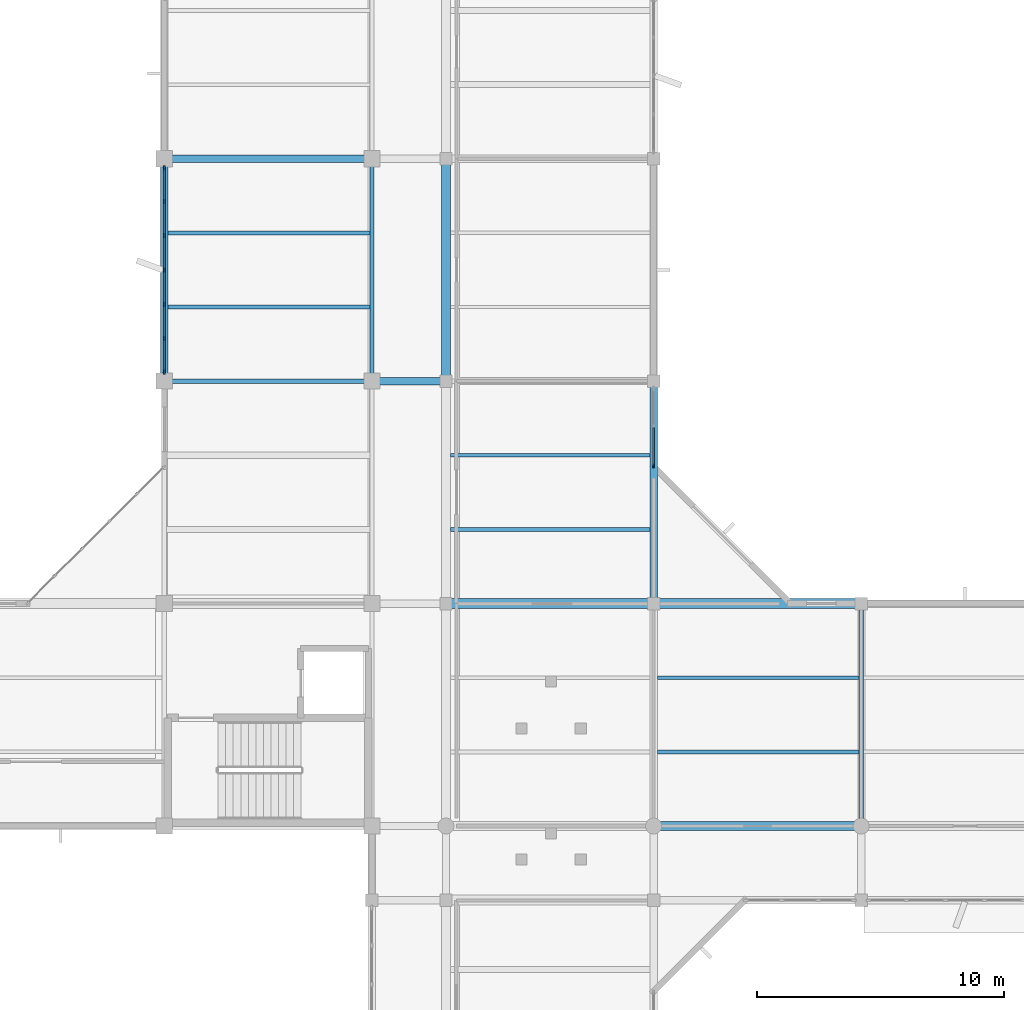
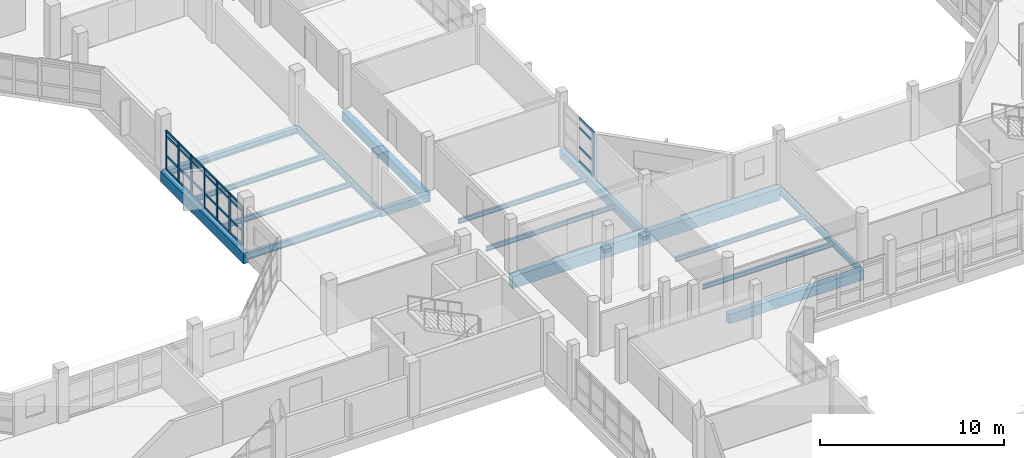
# One storey, part 23 of 104: 36 members, 17 beams, 2 elements without a shape of their own.
"""IFC4 building model written with IfcOpenShell, lengths in metres."""

from ifc_helpers import new_model, si_unit, direction, frame, origin, origin_2d, place, context, subcontext, project, spatial, rectangle, i_section, extrude, material, material_profile, profile_set, type_object, element, aggregate, save


model = new_model("IFC4")

# Units and contexts
model_context = context("Model", 3, precision=1e-05, world=origin(), true_north=direction((0.0, 1.0)))
body_context = subcontext(model_context, "Body", "Model", "MODEL_VIEW")
ifc_project = project(units=[si_unit("LENGTHUNIT", "METRE"), si_unit("AREAUNIT", "SQUARE_METRE"), si_unit("VOLUMEUNIT", "CUBIC_METRE"), si_unit("PLANEANGLEUNIT", "RADIAN"), si_unit("MASSUNIT", "GRAM", prefix="KILO")], contexts=[model_context])

# Site, building, storey
site_placement = place(None, origin())
site = spatial("IfcSite", under=ifc_project, at=site_placement, CompositionType="ELEMENT")
building_placement = place(site_placement, origin())
building = spatial("IfcBuilding", under=site, at=building_placement, Name="Vanh Quang Courtyard School", CompositionType="ELEMENT")
storey_placement = place(building_placement, frame((0.0, 0.0, 4.199951171875)))
storey = spatial("IfcBuildingStorey", under=building, at=storey_placement, Name="L01", CompositionType="ELEMENT", Elevation=4.199951171875)

# Beams
ifc_material_1 = material(Name="Concrete C35/45", Category="concrete")
ifc_material_profile_1 = material_profile(ifc_material_1, rectangle(XDim=0.300048828125, YDim=0.5, at=origin_2d()), Name="RC-BM 300x500")
ifc_profile_set_1 = profile_set([ifc_material_profile_1], Name="Concrete C35/45")
beam_type_1 = type_object("IfcBeamType", Name="BM-RC-300x500", PredefinedType="BEAM", material=ifc_profile_set_1)
beam_1_placement = place(storey_placement, frame((74.39990234375, 50.39990234375, -0.530029296875), z_axis=(1.0, 0.0, 0.0), x_axis=(0.0, 1.0, 0.0)))
element("IfcBeam", 1, at=beam_1_placement, inside=storey, type_object=beam_type_1, Name="Beam B-08 (L01)", PredefinedType="BEAM", context=body_context, shape_type="SweptSolid", body=[
    extrude(rectangle(XDim=0.300048828125, YDim=0.5, at=origin_2d()), origin(), (0.0, 0.0, 1.0), 3.0),
])
ifc_material_profile_2 = material_profile(ifc_material_1, rectangle(XDim=0.300048828125, YDim=0.60009765625, at=origin_2d()), Name="RC-BM 300x600")
ifc_profile_set_2 = profile_set([ifc_material_profile_2], Name="Concrete C35/45")
beam_type_2 = type_object("IfcBeamType", Name="BM-RC-300x600", PredefinedType="BEAM", material=ifc_profile_set_2)
beam_2_placement = place(storey_placement, frame((85.800048828125, 41.39990234375, -0.579833984375), z_axis=(0.0, 1.0, 0.0), x_axis=(-1.0, 0.0, 0.0)))
element("IfcBeam", 2, at=beam_2_placement, inside=storey, type_object=beam_type_2, Name="Beam B-06 (L01)", PredefinedType="BEAM", context=body_context, shape_type="SweptSolid", body=[
    extrude(rectangle(XDim=0.300048828125, YDim=0.60009765625, at=origin_2d()), origin(), (0.0, 0.0, 1.0), 9.0),
])
ifc_material_profile_3 = material_profile(ifc_material_1, rectangle(XDim=0.35009765625, YDim=0.64990234375, at=origin_2d()), Name="RC-BM 350x650")
ifc_profile_set_3 = profile_set([ifc_material_profile_3], Name="Concrete C35/45")
beam_type_3 = type_object("IfcBeamType", Name="BM-RC-350x650", PredefinedType="BEAM", material=ifc_profile_set_3)
beam_3_placement = place(storey_placement, frame((85.800048828125, 32.39990234375, -0.60498046875), z_axis=(1.0, 0.0, 0.0), x_axis=(0.0, 1.0, 0.0)))
element("IfcBeam", 3, at=beam_3_placement, inside=storey, type_object=beam_type_3, Name="Beam B-05 (L01)", PredefinedType="BEAM", context=body_context, shape_type="SweptSolid", body=[
    extrude(rectangle(XDim=0.35009765625, YDim=0.64990234375, at=origin_2d()), origin(), (0.0, 0.0, 1.0), 8.39990234375),
])
beam_4_placement = place(storey_placement, frame((77.39990234375, 50.39990234375, -0.60498046875), z_axis=(0.0, 1.0, 0.0), x_axis=(-1.0, 0.0, 0.0)))
element("IfcBeam", 4, at=beam_4_placement, inside=storey, type_object=beam_type_3, Name="Beam B-05 (L01)", PredefinedType="BEAM", context=body_context, shape_type="SweptSolid", body=[
    extrude(rectangle(XDim=0.35009765625, YDim=0.64990234375, at=origin_2d()), origin(), (0.0, 0.0, 1.0), 9.0),
])
ifc_material_profile_4 = material_profile(ifc_material_1, rectangle(XDim=0.39990234375, YDim=0.800048828125, at=origin_2d()), Name="RC-BM 400x800")
ifc_profile_set_4 = profile_set([ifc_material_profile_4], Name="Concrete C35/45")
beam_type_4 = type_object("IfcBeamType", Name="BM-RC-400x800", PredefinedType="BEAM", material=ifc_profile_set_4)
beam_5_placement = place(storey_placement, frame((77.39990234375, 41.39990234375, -0.679931640625), z_axis=(1.0, 0.0, 0.0), x_axis=(0.0, 1.0, 0.0)))
element("IfcBeam", 5, at=beam_5_placement, inside=storey, type_object=beam_type_4, Name="Beam B-02 (L01)", PredefinedType="BEAM", context=body_context, shape_type="SweptSolid", body=[
    extrude(rectangle(XDim=0.39990234375, YDim=0.800048828125, at=origin_2d()), origin(), (0.0, 0.0, 1.0), 8.400146484375),
])
beam_6_placement = place(storey_placement, frame((85.800048828125, 41.39990234375, -0.679931640625), z_axis=(1.0, 0.0, 0.0), x_axis=(0.0, 1.0, 0.0)))
element("IfcBeam", 6, at=beam_6_placement, inside=storey, type_object=beam_type_4, Name="Beam B-02 (L01)", PredefinedType="BEAM", context=body_context, shape_type="SweptSolid", body=[
    extrude(rectangle(XDim=0.39990234375, YDim=0.800048828125, at=origin_2d()), origin(), (0.0, 0.0, 1.0), 8.39990234375),
])
ifc_material_profile_5 = material_profile(ifc_material_1, rectangle(XDim=0.300048828125, YDim=0.699951171875, at=origin_2d()), Name="RC-SP 300x700")
ifc_profile_set_5 = profile_set([ifc_material_profile_5], Name="Concrete C35/45")
beam_type_5 = type_object("IfcBeamType", Name="BM-SP-300x700", PredefinedType="SPANDREL", material=ifc_profile_set_5)
beam_7_placement = place(storey_placement, frame((66.0, 50.39990234375, -0.6298828125), z_axis=(0.0, 1.0, 0.0), x_axis=(-1.0, 0.0, 0.0)))
element("IfcBeam", 7, at=beam_7_placement, inside=storey, type_object=beam_type_5, Name="Beam BS-01 (L01)", PredefinedType="SPANDREL", context=body_context, shape_type="SweptSolid", body=[
    extrude(rectangle(XDim=0.300048828125, YDim=0.699951171875, at=origin_2d()), origin(), (0.0, 0.0, 1.0), 9.0),
])
ifc_material_2 = material(Name="Structural steel EN 10025-2 S355J2", Category="steel")
ifc_material_profile_6 = material_profile(ifc_material_2, i_section(OverallWidth=0.300048828125, OverallDepth=0.389892578125, WebThickness=0.010986328125, FlangeThickness=0.01904296875, FilletRadius=0.027099609375, at=origin_2d()), Name="HEA 400")
ifc_profile_set_6 = profile_set([ifc_material_profile_6], Name="Structural steel EN 10025-2 S355J2")
beam_type_6 = type_object("IfcBeamType", Name="BM-STL-HEA400", PredefinedType="BEAM", material=ifc_profile_set_6)
beam_8_placement = place(storey_placement, frame((66.0, 59.39990234375, -0.474853515625), z_axis=(1.0, 0.0, 0.0), x_axis=(0.0, 1.0, 0.0)))
element("IfcBeam", 8, at=beam_8_placement, inside=storey, type_object=beam_type_6, Name="Beam SB-08 (L01)", PredefinedType="BEAM", context=body_context, shape_type="SweptSolid", body=[
    extrude(i_section(OverallWidth=0.300048828125, OverallDepth=0.389892578125, WebThickness=0.010986328125, FlangeThickness=0.01904296875, FilletRadius=0.027099609375, at=origin_2d()), origin(), (0.0, 0.0, 1.0), 8.39990234375),
])
ifc_material_profile_7 = material_profile(ifc_material_2, i_section(OverallWidth=0.169921875, OverallDepth=0.360107421875, WebThickness=0.008056640625, FlangeThickness=0.0126953125, FilletRadius=0.01806640625, at=origin_2d()), Name="IPE 360")
ifc_profile_set_7 = profile_set([ifc_material_profile_7], Name="Structural steel EN 10025-2 S355J2")
beam_type_7 = type_object("IfcBeamType", Name="BM-STL-IPE360", PredefinedType="BEAM", material=ifc_profile_set_7)
beam_9_placement = place(storey_placement, frame((74.39990234375, 50.39990234375, -0.4599609375), z_axis=(0.0, 1.0, 0.0), x_axis=(-1.0, 0.0, 0.0)))
element("IfcBeam", 9, at=beam_9_placement, inside=storey, type_object=beam_type_7, Name="Beam SB-06 (L01)", PredefinedType="BEAM", context=body_context, shape_type="SweptSolid", body=[
    extrude(i_section(OverallWidth=0.169921875, OverallDepth=0.360107421875, WebThickness=0.008056640625, FlangeThickness=0.0126953125, FilletRadius=0.01806640625, at=origin_2d()), origin(), (0.0, 0.0, 1.0), 9.0),
])
ifc_material_profile_8 = material_profile(ifc_material_2, i_section(OverallWidth=0.179931640625, OverallDepth=0.39990234375, WebThickness=0.008544921875, FlangeThickness=0.013427734375, FilletRadius=0.02099609375, at=origin_2d()), Name="IPE 400")
ifc_profile_set_8 = profile_set([ifc_material_profile_8], Name="Structural steel EN 10025-2 S355J2")
beam_type_8 = type_object("IfcBeamType", Name="BM-STL-IPE400", PredefinedType="BEAM", material=ifc_profile_set_8)
beam_10_placement = place(storey_placement, frame((94.199951171875, 32.39990234375, -0.47998046875), z_axis=(0.0, 1.0, 0.0), x_axis=(-1.0, 0.0, 0.0)))
element("IfcBeam", 10, at=beam_10_placement, inside=storey, type_object=beam_type_8, Name="Beam SB-05 (L01)", PredefinedType="BEAM", context=body_context, shape_type="SweptSolid", body=[
    extrude(i_section(OverallWidth=0.179931640625, OverallDepth=0.39990234375, WebThickness=0.008544921875, FlangeThickness=0.013427734375, FilletRadius=0.02099609375, at=origin_2d()), origin(), (0.0, 0.0, 1.0), 9.0),
])
ifc_material_profile_9 = material_profile(ifc_material_2, i_section(OverallWidth=0.18994140625, OverallDepth=0.449951171875, WebThickness=0.009521484375, FlangeThickness=0.0146484375, FilletRadius=0.02099609375, at=origin_2d()), Name="IPE 450")
ifc_profile_set_9 = profile_set([ifc_material_profile_9], Name="Structural steel EN 10025-2 S355J2")
beam_type_9 = type_object("IfcBeamType", Name="BM-STL-IPE450", PredefinedType="BEAM", material=ifc_profile_set_9)
beam_11_placement = place(storey_placement, frame((66.0, 50.39990234375, -0.5048828125), z_axis=(1.0, 0.0, 0.0), x_axis=(0.0, 1.0, 0.0)))
element("IfcBeam", 11, at=beam_11_placement, inside=storey, type_object=beam_type_9, Name="Beam SB-04 (L01)", PredefinedType="BEAM", context=body_context, shape_type="SweptSolid", body=[
    extrude(i_section(OverallWidth=0.18994140625, OverallDepth=0.449951171875, WebThickness=0.009521484375, FlangeThickness=0.0146484375, FilletRadius=0.02099609375, at=origin_2d()), origin(), (0.0, 0.0, 1.0), 8.39990234375),
])

# Curtain wall, members
ifc_material_3 = material(Name="Thermally broken aluminium unitised curtain wall", Category="aluminium")
curtain_wall_type_1 = type_object("IfcCurtainWallType", Name="CW-SYS-20", PredefinedType="NOTDEFINED", material=ifc_material_3)
curtain_wall_1_placement = place(storey_placement, origin())
curtain_wall_1 = element("IfcCurtainWall", 12, at=curtain_wall_1_placement, inside=storey, type_object=curtain_wall_type_1, Name="Curtain Wall CW-20 (L01)", PredefinedType="NOTDEFINED")
ifc_material_4 = material(Name="Anodised aluminium 6063-T6", Category="aluminium")
ifc_material_profile_10 = material_profile(ifc_material_4, rectangle(XDim=0.070068359375, YDim=0.179931640625, at=origin_2d()), Name="ALU-MUL 70x180")
ifc_profile_set_10 = profile_set([ifc_material_profile_10], Name="Anodised aluminium 6063-T6")
member_type_1 = type_object("IfcMemberType", Name="CW-MUL-70x180", PredefinedType="MULLION", material=ifc_profile_set_10)
member_1_placement = place(storey_placement, frame((66.0, 50.76806640625, 0.0), z_axis=(0.0, 0.0, 1.0), x_axis=(-1.0, 0.0, 0.0)))
member_1 = element("IfcMember", 13, at=member_1_placement, type_object=member_type_1, Name="CW-20 mullion 1", PredefinedType="MULLION", context=body_context, shape_type="SweptSolid", body=[
    extrude(rectangle(XDim=0.070068359375, YDim=0.179931640625, at=origin_2d()), origin(), (0.0, 0.0, 1.0), 2.60009765625),
])
member_2_placement = place(storey_placement, frame((66.0, 52.1220703125, 0.0), z_axis=(0.0, 0.0, 1.0), x_axis=(-1.0, 0.0, 0.0)))
member_2 = element("IfcMember", 14, at=member_2_placement, type_object=member_type_1, Name="CW-20 mullion 2", PredefinedType="MULLION", context=body_context, shape_type="SweptSolid", body=[
    extrude(rectangle(XDim=0.070068359375, YDim=0.179931640625, at=origin_2d()), origin(), (0.0, 0.0, 1.0), 2.60009765625),
])
member_3_placement = place(storey_placement, frame((66.0, 53.510986328125, 0.0), z_axis=(0.0, 0.0, 1.0), x_axis=(-1.0, 0.0, 0.0)))
member_3 = element("IfcMember", 15, at=member_3_placement, type_object=member_type_1, Name="CW-20 mullion 3", PredefinedType="MULLION", context=body_context, shape_type="SweptSolid", body=[
    extrude(rectangle(XDim=0.070068359375, YDim=0.179931640625, at=origin_2d()), origin(), (0.0, 0.0, 1.0), 2.60009765625),
])
member_4_placement = place(storey_placement, frame((66.0, 54.89990234375, 0.0), z_axis=(0.0, 0.0, 1.0), x_axis=(-1.0, 0.0, 0.0)))
member_4 = element("IfcMember", 16, at=member_4_placement, type_object=member_type_1, Name="CW-20 mullion 4", PredefinedType="MULLION", context=body_context, shape_type="SweptSolid", body=[
    extrude(rectangle(XDim=0.070068359375, YDim=0.179931640625, at=origin_2d()), origin(), (0.0, 0.0, 1.0), 2.60009765625),
])
member_5_placement = place(storey_placement, frame((66.0, 56.2890625, 0.0), z_axis=(0.0, 0.0, 1.0), x_axis=(-1.0, 0.0, 0.0)))
member_5 = element("IfcMember", 17, at=member_5_placement, type_object=member_type_1, Name="CW-20 mullion 5", PredefinedType="MULLION", context=body_context, shape_type="SweptSolid", body=[
    extrude(rectangle(XDim=0.070068359375, YDim=0.179931640625, at=origin_2d()), origin(), (0.0, 0.0, 1.0), 2.60009765625),
])
member_6_placement = place(storey_placement, frame((66.0, 57.677978515625, 0.0), z_axis=(0.0, 0.0, 1.0), x_axis=(-1.0, 0.0, 0.0)))
member_6 = element("IfcMember", 18, at=member_6_placement, type_object=member_type_1, Name="CW-20 mullion 6", PredefinedType="MULLION", context=body_context, shape_type="SweptSolid", body=[
    extrude(rectangle(XDim=0.070068359375, YDim=0.179931640625, at=origin_2d()), origin(), (0.0, 0.0, 1.0), 2.60009765625),
])
member_7_placement = place(storey_placement, frame((66.0, 59.031982421875, 0.0), z_axis=(0.0, 0.0, 1.0), x_axis=(-1.0, 0.0, 0.0)))
member_7 = element("IfcMember", 19, at=member_7_placement, type_object=member_type_1, Name="CW-20 mullion 7", PredefinedType="MULLION", context=body_context, shape_type="SweptSolid", body=[
    extrude(rectangle(XDim=0.070068359375, YDim=0.179931640625, at=origin_2d()), origin(), (0.0, 0.0, 1.0), 2.60009765625),
])

# Curtain wall, member
curtain_wall_type_2 = type_object("IfcCurtainWallType", Name="CW-SYS-45", PredefinedType="NOTDEFINED", material=ifc_material_3)
curtain_wall_2_placement = place(storey_placement, origin())
curtain_wall_2 = element("IfcCurtainWall", 20, at=curtain_wall_2_placement, inside=storey, type_object=curtain_wall_type_2, Name="Curtain Wall CW-45 (L01)", PredefinedType="NOTDEFINED")
member_8_placement = place(storey_placement, frame((85.800048828125, 46.97900390625, 0.0), z_axis=(0.0, 0.0, 1.0), x_axis=(1.0, 0.0, 0.0)))
member_8 = element("IfcMember", 21, at=member_8_placement, type_object=member_type_1, Name="CW-45 mullion 3", PredefinedType="MULLION", context=body_context, shape_type="SweptSolid", body=[
    extrude(rectangle(XDim=0.070068359375, YDim=0.179931640625, at=origin_2d()), origin(), (0.0, 0.0, 1.0), 2.920166015625),
])

# Member
ifc_material_profile_11 = material_profile(ifc_material_4, rectangle(XDim=0.070068359375, YDim=0.139892578125, at=origin_2d()), Name="ALU-TRN 70x140")
ifc_profile_set_11 = profile_set([ifc_material_profile_11], Name="Anodised aluminium 6063-T6")
member_type_2 = type_object("IfcMemberType", Name="CW-TRN-70x140", PredefinedType="USERDEFINED", material=ifc_profile_set_11)
member_9_placement = place(storey_placement, frame((66.0, 50.802978515625, 0.03515625), z_axis=(0.0, 1.0, 0.0), x_axis=(-1.0, 0.0, 0.0)))
member_9 = element("IfcMember", 22, at=member_9_placement, type_object=member_type_2, Name="CW-20 transom 1.1", ObjectType="TRANSOM", PredefinedType="USERDEFINED", context=body_context, shape_type="SweptSolid", body=[
    extrude(rectangle(XDim=0.070068359375, YDim=0.139892578125, at=origin_2d()), origin(), (0.0, 0.0, 1.0), 1.283935546875),
])

member_10_placement = place(storey_placement, frame((66.0, 50.802978515625, 0.949951171875), z_axis=(0.0, 1.0, 0.0), x_axis=(-1.0, 0.0, 0.0)))
member_10 = element("IfcMember", 23, at=member_10_placement, type_object=member_type_2, Name="CW-20 transom 1.2", ObjectType="TRANSOM", PredefinedType="USERDEFINED", context=body_context, shape_type="SweptSolid", body=[
    extrude(rectangle(XDim=0.070068359375, YDim=0.139892578125, at=origin_2d()), origin(), (0.0, 0.0, 1.0), 1.283935546875),
])

member_11_placement = place(storey_placement, frame((66.0, 50.802978515625, 2.25), z_axis=(0.0, 1.0, 0.0), x_axis=(-1.0, 0.0, 0.0)))
member_11 = element("IfcMember", 24, at=member_11_placement, type_object=member_type_2, Name="CW-20 transom 1.3", ObjectType="TRANSOM", PredefinedType="USERDEFINED", context=body_context, shape_type="SweptSolid", body=[
    extrude(rectangle(XDim=0.070068359375, YDim=0.139892578125, at=origin_2d()), origin(), (0.0, 0.0, 1.0), 1.283935546875),
])

member_12_placement = place(storey_placement, frame((66.0, 50.802978515625, 2.56494140625), z_axis=(0.0, 1.0, 0.0), x_axis=(-1.0, 0.0, 0.0)))
member_12 = element("IfcMember", 25, at=member_12_placement, type_object=member_type_2, Name="CW-20 transom 1.4", ObjectType="TRANSOM", PredefinedType="USERDEFINED", context=body_context, shape_type="SweptSolid", body=[
    extrude(rectangle(XDim=0.070068359375, YDim=0.139892578125, at=origin_2d()), origin(), (0.0, 0.0, 1.0), 1.283935546875),
])

member_13_placement = place(storey_placement, frame((66.0, 52.156982421875, 0.03515625), z_axis=(0.0, 1.0, 0.0), x_axis=(-1.0, 0.0, 0.0)))
member_13 = element("IfcMember", 26, at=member_13_placement, type_object=member_type_2, Name="CW-20 transom 2.1", ObjectType="TRANSOM", PredefinedType="USERDEFINED", context=body_context, shape_type="SweptSolid", body=[
    extrude(rectangle(XDim=0.070068359375, YDim=0.139892578125, at=origin_2d()), origin(), (0.0, 0.0, 1.0), 1.319091796875),
])

member_14_placement = place(storey_placement, frame((66.0, 52.156982421875, 0.949951171875), z_axis=(0.0, 1.0, 0.0), x_axis=(-1.0, 0.0, 0.0)))
member_14 = element("IfcMember", 27, at=member_14_placement, type_object=member_type_2, Name="CW-20 transom 2.2", ObjectType="TRANSOM", PredefinedType="USERDEFINED", context=body_context, shape_type="SweptSolid", body=[
    extrude(rectangle(XDim=0.070068359375, YDim=0.139892578125, at=origin_2d()), origin(), (0.0, 0.0, 1.0), 1.319091796875),
])

member_15_placement = place(storey_placement, frame((66.0, 52.156982421875, 2.25), z_axis=(0.0, 1.0, 0.0), x_axis=(-1.0, 0.0, 0.0)))
member_15 = element("IfcMember", 28, at=member_15_placement, type_object=member_type_2, Name="CW-20 transom 2.3", ObjectType="TRANSOM", PredefinedType="USERDEFINED", context=body_context, shape_type="SweptSolid", body=[
    extrude(rectangle(XDim=0.070068359375, YDim=0.139892578125, at=origin_2d()), origin(), (0.0, 0.0, 1.0), 1.319091796875),
])

member_16_placement = place(storey_placement, frame((66.0, 52.156982421875, 2.56494140625), z_axis=(0.0, 1.0, 0.0), x_axis=(-1.0, 0.0, 0.0)))
member_16 = element("IfcMember", 29, at=member_16_placement, type_object=member_type_2, Name="CW-20 transom 2.4", ObjectType="TRANSOM", PredefinedType="USERDEFINED", context=body_context, shape_type="SweptSolid", body=[
    extrude(rectangle(XDim=0.070068359375, YDim=0.139892578125, at=origin_2d()), origin(), (0.0, 0.0, 1.0), 1.319091796875),
])

member_17_placement = place(storey_placement, frame((66.0, 53.5458984375, 0.03515625), z_axis=(0.0, 1.0, 0.0), x_axis=(-1.0, 0.0, 0.0)))
member_17 = element("IfcMember", 30, at=member_17_placement, type_object=member_type_2, Name="CW-20 transom 3.1", ObjectType="TRANSOM", PredefinedType="USERDEFINED", context=body_context, shape_type="SweptSolid", body=[
    extrude(rectangle(XDim=0.070068359375, YDim=0.139892578125, at=origin_2d()), origin(), (0.0, 0.0, 1.0), 1.319091796875),
])

member_18_placement = place(storey_placement, frame((66.0, 53.5458984375, 0.949951171875), z_axis=(0.0, 1.0, 0.0), x_axis=(-1.0, 0.0, 0.0)))
member_18 = element("IfcMember", 31, at=member_18_placement, type_object=member_type_2, Name="CW-20 transom 3.2", ObjectType="TRANSOM", PredefinedType="USERDEFINED", context=body_context, shape_type="SweptSolid", body=[
    extrude(rectangle(XDim=0.070068359375, YDim=0.139892578125, at=origin_2d()), origin(), (0.0, 0.0, 1.0), 1.319091796875),
])

member_19_placement = place(storey_placement, frame((66.0, 53.5458984375, 2.25), z_axis=(0.0, 1.0, 0.0), x_axis=(-1.0, 0.0, 0.0)))
member_19 = element("IfcMember", 32, at=member_19_placement, type_object=member_type_2, Name="CW-20 transom 3.3", ObjectType="TRANSOM", PredefinedType="USERDEFINED", context=body_context, shape_type="SweptSolid", body=[
    extrude(rectangle(XDim=0.070068359375, YDim=0.139892578125, at=origin_2d()), origin(), (0.0, 0.0, 1.0), 1.319091796875),
])

member_20_placement = place(storey_placement, frame((66.0, 53.5458984375, 2.56494140625), z_axis=(0.0, 1.0, 0.0), x_axis=(-1.0, 0.0, 0.0)))
member_20 = element("IfcMember", 33, at=member_20_placement, type_object=member_type_2, Name="CW-20 transom 3.4", ObjectType="TRANSOM", PredefinedType="USERDEFINED", context=body_context, shape_type="SweptSolid", body=[
    extrude(rectangle(XDim=0.070068359375, YDim=0.139892578125, at=origin_2d()), origin(), (0.0, 0.0, 1.0), 1.319091796875),
])

member_21_placement = place(storey_placement, frame((66.0, 54.93505859375, 0.03515625), z_axis=(0.0, 1.0, 0.0), x_axis=(-1.0, 0.0, 0.0)))
member_21 = element("IfcMember", 34, at=member_21_placement, type_object=member_type_2, Name="CW-20 transom 4.1", ObjectType="TRANSOM", PredefinedType="USERDEFINED", context=body_context, shape_type="SweptSolid", body=[
    extrude(rectangle(XDim=0.070068359375, YDim=0.139892578125, at=origin_2d()), origin(), (0.0, 0.0, 1.0), 1.31884765625),
])

member_22_placement = place(storey_placement, frame((66.0, 54.93505859375, 0.949951171875), z_axis=(0.0, 1.0, 0.0), x_axis=(-1.0, 0.0, 0.0)))
member_22 = element("IfcMember", 35, at=member_22_placement, type_object=member_type_2, Name="CW-20 transom 4.2", ObjectType="TRANSOM", PredefinedType="USERDEFINED", context=body_context, shape_type="SweptSolid", body=[
    extrude(rectangle(XDim=0.070068359375, YDim=0.139892578125, at=origin_2d()), origin(), (0.0, 0.0, 1.0), 1.31884765625),
])

member_23_placement = place(storey_placement, frame((66.0, 54.93505859375, 2.25), z_axis=(0.0, 1.0, 0.0), x_axis=(-1.0, 0.0, 0.0)))
member_23 = element("IfcMember", 36, at=member_23_placement, type_object=member_type_2, Name="CW-20 transom 4.3", ObjectType="TRANSOM", PredefinedType="USERDEFINED", context=body_context, shape_type="SweptSolid", body=[
    extrude(rectangle(XDim=0.070068359375, YDim=0.139892578125, at=origin_2d()), origin(), (0.0, 0.0, 1.0), 1.31884765625),
])

member_24_placement = place(storey_placement, frame((66.0, 54.93505859375, 2.56494140625), z_axis=(0.0, 1.0, 0.0), x_axis=(-1.0, 0.0, 0.0)))
member_24 = element("IfcMember", 37, at=member_24_placement, type_object=member_type_2, Name="CW-20 transom 4.4", ObjectType="TRANSOM", PredefinedType="USERDEFINED", context=body_context, shape_type="SweptSolid", body=[
    extrude(rectangle(XDim=0.070068359375, YDim=0.139892578125, at=origin_2d()), origin(), (0.0, 0.0, 1.0), 1.31884765625),
])

member_25_placement = place(storey_placement, frame((66.0, 56.323974609375, 0.03515625), z_axis=(0.0, 1.0, 0.0), x_axis=(-1.0, 0.0, 0.0)))
member_25 = element("IfcMember", 38, at=member_25_placement, type_object=member_type_2, Name="CW-20 transom 5.1", ObjectType="TRANSOM", PredefinedType="USERDEFINED", context=body_context, shape_type="SweptSolid", body=[
    extrude(rectangle(XDim=0.070068359375, YDim=0.139892578125, at=origin_2d()), origin(), (0.0, 0.0, 1.0), 1.319091796875),
])

member_26_placement = place(storey_placement, frame((66.0, 56.323974609375, 0.949951171875), z_axis=(0.0, 1.0, 0.0), x_axis=(-1.0, 0.0, 0.0)))
member_26 = element("IfcMember", 39, at=member_26_placement, type_object=member_type_2, Name="CW-20 transom 5.2", ObjectType="TRANSOM", PredefinedType="USERDEFINED", context=body_context, shape_type="SweptSolid", body=[
    extrude(rectangle(XDim=0.070068359375, YDim=0.139892578125, at=origin_2d()), origin(), (0.0, 0.0, 1.0), 1.319091796875),
])

member_27_placement = place(storey_placement, frame((66.0, 56.323974609375, 2.25), z_axis=(0.0, 1.0, 0.0), x_axis=(-1.0, 0.0, 0.0)))
member_27 = element("IfcMember", 40, at=member_27_placement, type_object=member_type_2, Name="CW-20 transom 5.3", ObjectType="TRANSOM", PredefinedType="USERDEFINED", context=body_context, shape_type="SweptSolid", body=[
    extrude(rectangle(XDim=0.070068359375, YDim=0.139892578125, at=origin_2d()), origin(), (0.0, 0.0, 1.0), 1.319091796875),
])

member_28_placement = place(storey_placement, frame((66.0, 56.323974609375, 2.56494140625), z_axis=(0.0, 1.0, 0.0), x_axis=(-1.0, 0.0, 0.0)))
member_28 = element("IfcMember", 41, at=member_28_placement, type_object=member_type_2, Name="CW-20 transom 5.4", ObjectType="TRANSOM", PredefinedType="USERDEFINED", context=body_context, shape_type="SweptSolid", body=[
    extrude(rectangle(XDim=0.070068359375, YDim=0.139892578125, at=origin_2d()), origin(), (0.0, 0.0, 1.0), 1.319091796875),
])

member_29_placement = place(storey_placement, frame((66.0, 57.712890625, 0.03515625), z_axis=(0.0, 1.0, 0.0), x_axis=(-1.0, 0.0, 0.0)))
member_29 = element("IfcMember", 42, at=member_29_placement, type_object=member_type_2, Name="CW-20 transom 6.1", ObjectType="TRANSOM", PredefinedType="USERDEFINED", context=body_context, shape_type="SweptSolid", body=[
    extrude(rectangle(XDim=0.070068359375, YDim=0.139892578125, at=origin_2d()), origin(), (0.0, 0.0, 1.0), 1.2841796875),
])

member_30_placement = place(storey_placement, frame((66.0, 57.712890625, 0.949951171875), z_axis=(0.0, 1.0, 0.0), x_axis=(-1.0, 0.0, 0.0)))
member_30 = element("IfcMember", 43, at=member_30_placement, type_object=member_type_2, Name="CW-20 transom 6.2", ObjectType="TRANSOM", PredefinedType="USERDEFINED", context=body_context, shape_type="SweptSolid", body=[
    extrude(rectangle(XDim=0.070068359375, YDim=0.139892578125, at=origin_2d()), origin(), (0.0, 0.0, 1.0), 1.2841796875),
])

member_31_placement = place(storey_placement, frame((66.0, 57.712890625, 2.25), z_axis=(0.0, 1.0, 0.0), x_axis=(-1.0, 0.0, 0.0)))
member_31 = element("IfcMember", 44, at=member_31_placement, type_object=member_type_2, Name="CW-20 transom 6.3", ObjectType="TRANSOM", PredefinedType="USERDEFINED", context=body_context, shape_type="SweptSolid", body=[
    extrude(rectangle(XDim=0.070068359375, YDim=0.139892578125, at=origin_2d()), origin(), (0.0, 0.0, 1.0), 1.2841796875),
])

member_32_placement = place(storey_placement, frame((66.0, 57.712890625, 2.56494140625), z_axis=(0.0, 1.0, 0.0), x_axis=(-1.0, 0.0, 0.0)))
member_32 = element("IfcMember", 45, at=member_32_placement, type_object=member_type_2, Name="CW-20 transom 6.4", ObjectType="TRANSOM", PredefinedType="USERDEFINED", context=body_context, shape_type="SweptSolid", body=[
    extrude(rectangle(XDim=0.070068359375, YDim=0.139892578125, at=origin_2d()), origin(), (0.0, 0.0, 1.0), 1.2841796875),
])

aggregate(curtain_wall_1, [member_1, member_2, member_3, member_4, member_5, member_6, member_7, member_9, member_10, member_11, member_12, member_13, member_14, member_15, member_16, member_17, member_18, member_19, member_20, member_21, member_22, member_23, member_24, member_25, member_26, member_27, member_28, member_29, member_30, member_31, member_32])

member_33_placement = place(storey_placement, frame((85.800048828125, 48.508056640625, 0.03515625), z_axis=(0.0, -1.0, 0.0), x_axis=(1.0, 0.0, 0.0)))
member_33 = element("IfcMember", 46, at=member_33_placement, type_object=member_type_2, Name="CW-45 transom 2.1", ObjectType="TRANSOM", PredefinedType="USERDEFINED", context=body_context, shape_type="SweptSolid", body=[
    extrude(rectangle(XDim=0.070068359375, YDim=0.139892578125, at=origin_2d()), origin(), (0.0, 0.0, 1.0), 1.494140625),
])

member_34_placement = place(storey_placement, frame((85.800048828125, 48.508056640625, 0.949951171875), z_axis=(0.0, -1.0, 0.0), x_axis=(1.0, 0.0, 0.0)))
member_34 = element("IfcMember", 47, at=member_34_placement, type_object=member_type_2, Name="CW-45 transom 2.2", ObjectType="TRANSOM", PredefinedType="USERDEFINED", context=body_context, shape_type="SweptSolid", body=[
    extrude(rectangle(XDim=0.070068359375, YDim=0.139892578125, at=origin_2d()), origin(), (0.0, 0.0, 1.0), 1.494140625),
])

member_35_placement = place(storey_placement, frame((85.800048828125, 48.508056640625, 2.25), z_axis=(0.0, -1.0, 0.0), x_axis=(1.0, 0.0, 0.0)))
member_35 = element("IfcMember", 48, at=member_35_placement, type_object=member_type_2, Name="CW-45 transom 2.3", ObjectType="TRANSOM", PredefinedType="USERDEFINED", context=body_context, shape_type="SweptSolid", body=[
    extrude(rectangle(XDim=0.070068359375, YDim=0.139892578125, at=origin_2d()), origin(), (0.0, 0.0, 1.0), 1.494140625),
])

member_36_placement = place(storey_placement, frame((85.800048828125, 48.508056640625, 2.885009765625), z_axis=(0.0, -1.0, 0.0), x_axis=(1.0, 0.0, 0.0)))
member_36 = element("IfcMember", 49, at=member_36_placement, type_object=member_type_2, Name="CW-45 transom 2.4", ObjectType="TRANSOM", PredefinedType="USERDEFINED", context=body_context, shape_type="SweptSolid", body=[
    extrude(rectangle(XDim=0.070068359375, YDim=0.139892578125, at=origin_2d()), origin(), (0.0, 0.0, 1.0), 1.494140625),
])

aggregate(curtain_wall_2, [member_8, member_33, member_34, member_35, member_36])

# Beams
ifc_material_profile_12 = material_profile(ifc_material_2, i_section(OverallWidth=0.14990234375, OverallDepth=0.300048828125, WebThickness=0.007080078125, FlangeThickness=0.0107421875, FilletRadius=0.014892578125, at=origin_2d()), Name="IPE 300")
ifc_profile_set_12 = profile_set([ifc_material_profile_12], Name="Structural steel EN 10025-2 S355J2")
beam_type_10 = type_object("IfcBeamType", Name="JST-STL-IPE300", PredefinedType="JOIST", material=ifc_profile_set_12)
for number, where, z_axis, x_axis, name in (
    (50, (77.574951171875, 44.39990234375, -0.429931640625), (1.0, 0.0, 0.0), (0.0, 1.0, 0.0), "Beam SJ-02 (L01)"),
    (51, (77.574951171875, 47.39990234375, -0.429931640625), (1.0, 0.0, 0.0), (0.0, 1.0, 0.0), "Beam SJ-02 (L01)"),
):
    element("IfcBeam", number, at=place(storey_placement, frame(where, z_axis=z_axis, x_axis=x_axis)), inside=storey, type_object=beam_type_10, Name=name, PredefinedType="JOIST", context=body_context, shape_type="SweptSolid", body=[
        extrude(i_section(OverallWidth=0.14990234375, OverallDepth=0.300048828125, WebThickness=0.007080078125, FlangeThickness=0.0107421875, FilletRadius=0.014892578125, at=origin_2d()), origin(), (0.0, 0.0, 1.0), 8.074951171875),
    ])
for number, where, z_axis, x_axis, name in (
    (52, (85.949951171875, 35.39990234375, -0.429931640625), (1.0, 0.0, 0.0), (0.0, 1.0, 0.0), "Beam SJ-02 (L01)"),
    (53, (85.949951171875, 38.39990234375, -0.429931640625), (1.0, 0.0, 0.0), (0.0, 1.0, 0.0), "Beam SJ-02 (L01)"),
):
    element("IfcBeam", number, at=place(storey_placement, frame(where, z_axis=z_axis, x_axis=x_axis)), inside=storey, type_object=beam_type_10, Name=name, PredefinedType="JOIST", context=body_context, shape_type="SweptSolid", body=[
        extrude(i_section(OverallWidth=0.14990234375, OverallDepth=0.300048828125, WebThickness=0.007080078125, FlangeThickness=0.0107421875, FilletRadius=0.014892578125, at=origin_2d()), origin(), (0.0, 0.0, 1.0), 8.16015625),
    ])
ifc_material_profile_13 = material_profile(ifc_material_2, i_section(OverallWidth=0.159912109375, OverallDepth=0.330078125, WebThickness=0.007568359375, FlangeThickness=0.011474609375, FilletRadius=0.01806640625, at=origin_2d()), Name="IPE 330")
ifc_profile_set_13 = profile_set([ifc_material_profile_13], Name="Structural steel EN 10025-2 S355J2")
beam_type_11 = type_object("IfcBeamType", Name="JST-STL-IPE330", PredefinedType="JOIST", material=ifc_profile_set_13)
for number, where, z_axis, x_axis, name in (
    (54, (66.14990234375, 53.39990234375, -0.445068359375), (1.0, 0.0, 0.0), (0.0, 1.0, 0.0), "Beam SJ-01 (L01)"),
    (55, (66.14990234375, 56.39990234375, -0.445068359375), (1.0, 0.0, 0.0), (0.0, 1.0, 0.0), "Beam SJ-01 (L01)"),
):
    element("IfcBeam", number, at=place(storey_placement, frame(where, z_axis=z_axis, x_axis=x_axis)), inside=storey, type_object=beam_type_11, Name=name, PredefinedType="JOIST", context=body_context, shape_type="SweptSolid", body=[
        extrude(i_section(OverallWidth=0.159912109375, OverallDepth=0.330078125, WebThickness=0.007568359375, FlangeThickness=0.011474609375, FilletRadius=0.01806640625, at=origin_2d()), origin(), (0.0, 0.0, 1.0), 8.1650390625),
    ])

save(model, "model.ifc")
